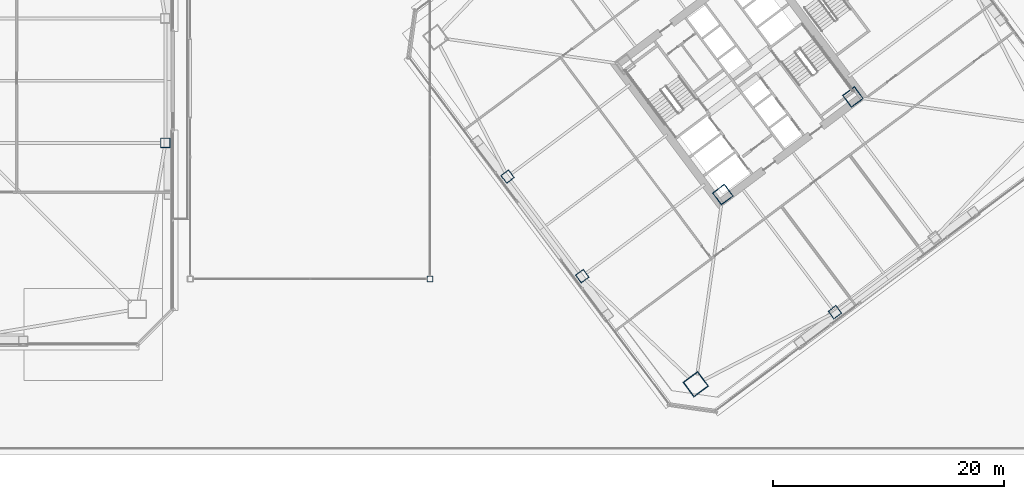
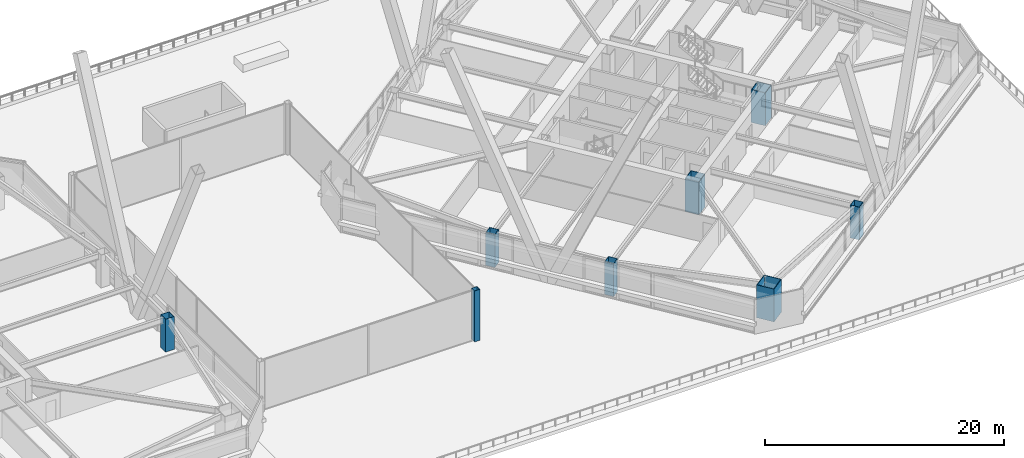
# One storey, part 2 of 83: 8 columns.
"""IFC4 building model written with IfcOpenShell, lengths in metres."""

from ifc_helpers import new_model, si_unit, direction, frame, origin, origin_2d, place, context, subcontext, project, spatial, hollow_rectangle, extrude, material, material_profile, profile_set, type_object, element, save


model = new_model("IFC4")

# Units and contexts
model_context = context("Model", 3, precision=1e-05, world=origin(), true_north=direction((0.0, 1.0)))
body_context = subcontext(model_context, "Body", "Model", "MODEL_VIEW")
ifc_project = project(units=[si_unit("LENGTHUNIT", "METRE"), si_unit("AREAUNIT", "SQUARE_METRE"), si_unit("VOLUMEUNIT", "CUBIC_METRE"), si_unit("PLANEANGLEUNIT", "RADIAN"), si_unit("MASSUNIT", "GRAM", prefix="KILO")], contexts=[model_context])

# Site, building, storey
site_placement = place(None, origin())
site = spatial("IfcSite", under=ifc_project, at=site_placement, CompositionType="ELEMENT")
building_placement = place(site_placement, origin())
building = spatial("IfcBuilding", under=site, at=building_placement, Name="Tashvorn Skyway Center", CompositionType="ELEMENT")
storey_placement = place(building_placement, frame((0.0, 0.0, 24.60009765625)))
storey = spatial("IfcBuildingStorey", under=building, at=storey_placement, Name="L05", CompositionType="ELEMENT", Elevation=24.60009765625)

# Columns
ifc_material = material(Name="Steel ASTM A572 Grade 50", Category="steel")
ifc_material_profile_1 = material_profile(ifc_material, hollow_rectangle(XDim=1.300048828125, YDim=1.300048828125, WallThickness=0.050048828125, at=origin_2d()), Name="BOX1300x1300x50")
ifc_profile_set_1 = profile_set([ifc_material_profile_1], Name="Steel ASTM A572 Grade 50")
column_type_1 = type_object("IfcColumnType", Name="COL-BOX1300x1300x50", PredefinedType="COLUMN", material=ifc_profile_set_1)
for number, where, z_axis, x_axis, name in (
    (1, (112.590087890625, 22.1298828125, 0.0), (0.0, 0.0, 1.0), (0.799999996291, 0.600000004945, 0.0), "Tower 2 L05 Core Corner Column CC-SW"),
    (2, (123.8701171875, 30.590087890625, 0.0), (0.0, 0.0, 1.0), (0.799999996291, 0.600000004945, 0.0), "Tower 2 L05 Core Corner Column CC-SE"),
):
    element("IfcColumn", number, at=place(storey_placement, frame(where, z_axis=z_axis, x_axis=x_axis)), inside=storey, type_object=column_type_1, Name=name, PredefinedType="COLUMN", context=body_context, shape_type="SweptSolid", body=[
        extrude(hollow_rectangle(XDim=1.300048828125, YDim=1.300048828125, WallThickness=0.050048828125, at=origin_2d()), origin(), (0.0, 0.0, 1.0), 3.349853515625),
    ])
ifc_material_profile_2 = material_profile(ifc_material, hollow_rectangle(XDim=1.60009765625, YDim=1.60009765625, WallThickness=0.06005859375, at=origin_2d()), Name="BOX1600x1600x60")
ifc_profile_set_2 = profile_set([ifc_material_profile_2], Name="Steel ASTM A572 Grade 50")
column_type_2 = type_object("IfcColumnType", Name="COL-BOX1600x1600x60", PredefinedType="COLUMN", material=ifc_profile_set_2)
column_1_placement = place(storey_placement, frame((110.239990234375, 5.679931640625, 0.0), z_axis=(0.0, 0.0, 1.0), x_axis=(0.799999996291, 0.600000004945, 0.0)))
element("IfcColumn", 3, at=column_1_placement, inside=storey, type_object=column_type_2, Name="Tower 2 L05 Mega-Column MC-SW", PredefinedType="COLUMN", context=body_context, shape_type="SweptSolid", body=[
    extrude(hollow_rectangle(XDim=1.60009765625, YDim=1.60009765625, WallThickness=0.06005859375, at=origin_2d()), origin(), (0.0, 0.0, 1.0), 3.349853515625),
])
ifc_material_profile_3 = material_profile(ifc_material, hollow_rectangle(XDim=0.85009765625, YDim=0.85009765625, WallThickness=0.034912109375, at=origin_2d()), Name="BOX850x850x35")
ifc_profile_set_3 = profile_set([ifc_material_profile_3], Name="Steel ASTM A572 Grade 50")
column_type_3 = type_object("IfcColumnType", Name="COL-BOX850x850x35", PredefinedType="COLUMN", material=ifc_profile_set_3)
for number, where, z_axis, x_axis, name in (
    (4, (64.25, 26.60009765625, 0.0), (0.0, 0.0, 1.0), (1.0, 0.0, 0.0), "Tower 1 L05 Perimeter Column FC-E1"),
    (5, (122.31005859375, 11.919921875, 0.0), (0.0, 0.0, 1.0), (0.799999996291, 0.600000004945, 0.0), "Tower 2 L05 Perimeter Column FC-S1"),
    (6, (93.919921875, 23.68994140625, 0.0), (0.0, 0.0, 1.0), (0.799999996291, 0.600000004945, 0.0), "Tower 2 L05 Perimeter Column FC-W1"),
    (7, (100.39990234375, 15.050048828125, 0.0), (0.0, 0.0, 1.0), (0.799999996291, 0.600000004945, 0.0), "Tower 2 L05 Perimeter Column FC-W2"),
):
    element("IfcColumn", number, at=place(storey_placement, frame(where, z_axis=z_axis, x_axis=x_axis)), inside=storey, type_object=column_type_3, Name=name, PredefinedType="COLUMN", context=body_context, shape_type="SweptSolid", body=[
        extrude(hollow_rectangle(XDim=0.85009765625, YDim=0.85009765625, WallThickness=0.034912109375, at=origin_2d()), origin(), (0.0, 0.0, 1.0), 3.349853515625),
    ])
ifc_material_profile_4 = material_profile(ifc_material, hollow_rectangle(XDim=0.5, YDim=0.5, WallThickness=0.02001953125, at=origin_2d()), Name="HSS500x500x20")
ifc_profile_set_4 = profile_set([ifc_material_profile_4], Name="Steel ASTM A572 Grade 50")
column_type_4 = type_object("IfcColumnType", Name="COL-HSS500x500x20", PredefinedType="COLUMN", material=ifc_profile_set_4)
column_2_placement = place(storey_placement, frame((87.199951171875, 14.800048828125, 0.0), z_axis=(0.0, 0.0, 1.0), x_axis=(1.0, 0.0, 0.0)))
element("IfcColumn", 8, at=column_2_placement, inside=storey, type_object=column_type_4, Name="Station Concourse Monitor Column 2-1", PredefinedType="COLUMN", context=body_context, shape_type="SweptSolid", body=[
    extrude(hollow_rectangle(XDim=0.5, YDim=0.5, WallThickness=0.02001953125, at=origin_2d()), origin(), (0.0, 0.0, 1.0), 5.199951171875),
])

save(model, "model.ifc")
